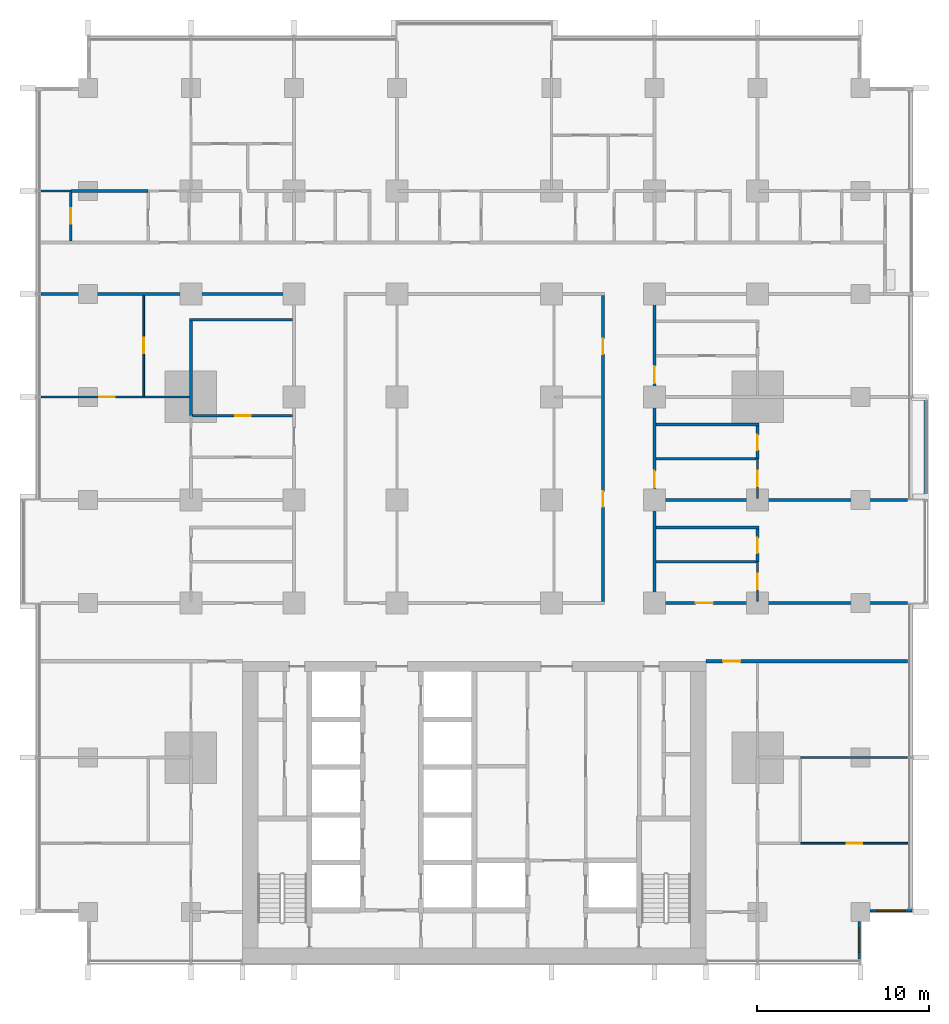
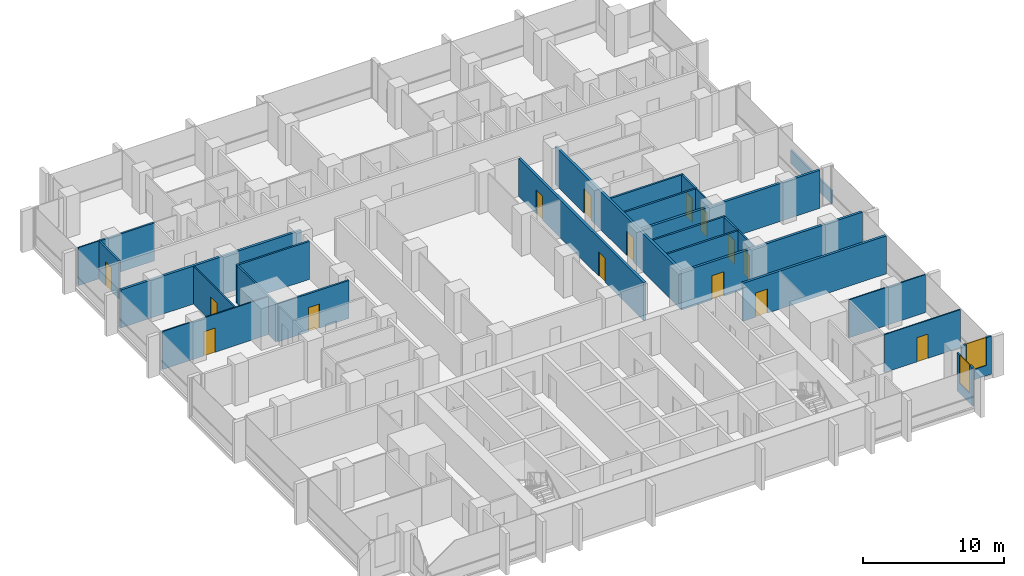
# One storey, part 10 of 18: 27 walls, 15 doors, 2 windows, 17 openings.
"""IFC4 building model written with IfcOpenShell, lengths in metres."""

from ifc_helpers import new_model, si_unit, direction, frame, frame_2d, origin, place, context, subcontext, project, spatial, rectangle, extrude, material, layer, layer_set, type_object, element, fill, save


model = new_model("IFC4")

# Units and contexts
model_context = context("Model", 3, precision=1e-05, world=origin(), true_north=direction((0.0, 1.0)))
body_context = subcontext(model_context, "Body", "Model", "MODEL_VIEW")
ifc_project = project(units=[si_unit("LENGTHUNIT", "METRE"), si_unit("AREAUNIT", "SQUARE_METRE"), si_unit("VOLUMEUNIT", "CUBIC_METRE"), si_unit("PLANEANGLEUNIT", "RADIAN"), si_unit("MASSUNIT", "GRAM", prefix="KILO")], contexts=[model_context])

# Site, building, storey
site_placement = place(None, origin())
site = spatial("IfcSite", under=ifc_project, at=site_placement, CompositionType="ELEMENT")
building_placement = place(site_placement, origin())
building = spatial("IfcBuilding", under=site, at=building_placement, Name="Finial Court Residences", CompositionType="ELEMENT")
storey_placement = place(building_placement, frame((0.0, 0.0, 54.10009765625)))
storey = spatial("IfcBuildingStorey", under=building, at=storey_placement, Name="L12", CompositionType="ELEMENT", Elevation=54.10009765625)

# Wall
ifc_material_1 = material(Name="Gypsum board")
ifc_layer_1 = layer(ifc_material_1, 0.02490234375)
ifc_material_2 = material(Name="Acoustic mineral wool in double frame")
ifc_layer_2 = layer(ifc_material_2, 0.14990234375)
ifc_layer_3 = layer(ifc_material_1, 0.02490234375)
ifc_layer_set_1 = layer_set([ifc_layer_1, ifc_layer_2, ifc_layer_3], Name="Acoustic party wall 200, 1 hour")
wall_type_1 = type_object("IfcWallType", Name="Acoustic party wall 200, 1 hour", PredefinedType="PARTITIONING", material=ifc_layer_set_1)
wall_1_placement = place(storey_placement, frame((10.60009765625, 1.5, 0.0), z_axis=(0.0, 0.0, 1.0), x_axis=(1.0, 0.0, 0.0)))
element("IfcWall", 1, at=wall_1_placement, inside=storey, type_object=wall_type_1, Name="Partition L12-020", PredefinedType="PARTITIONING", context=body_context, shape_type="SweptSolid", body=[
    extrude(rectangle(XDim=14.64990234375, YDim=0.199951171875, at=frame_2d((7.324951171875, 0.0))), origin(), (0.0, 0.0, 1.0), 3.2998046875),
])

# Wall, opening, door
ifc_layer_4 = layer(ifc_material_1, 0.02490234375)
ifc_layer_5 = layer(ifc_material_2, 0.14990234375)
ifc_layer_6 = layer(ifc_material_1, 0.02490234375)
ifc_layer_set_2 = layer_set([ifc_layer_4, ifc_layer_5, ifc_layer_6], Name="Corridor wall 200, 1 hour")
wall_type_2 = type_object("IfcWallType", Name="Corridor wall 200, 1 hour", PredefinedType="PARTITIONING", material=ifc_layer_set_2)
wall_2_placement = place(storey_placement, frame((13.5, -7.89990234375, 0.0), z_axis=(0.0, 0.0, 1.0), x_axis=(1.0, 0.0, 0.0)))
wall_2 = element("IfcWall", 2, at=wall_2_placement, inside=storey, type_object=wall_type_2, Name="Partition L12-011", PredefinedType="PARTITIONING", context=body_context, shape_type="SweptSolid", body=[
    extrude(rectangle(XDim=11.75, YDim=0.199951171875, at=frame_2d((5.875, 0.0))), origin(), (0.0, 0.0, 1.0), 3.2998046875),
])
opening_1_placement = place(wall_2_placement, frame((1.0, 0.0, 0.0)))
opening_1 = element("IfcOpeningElement", 3, at=opening_1_placement, cuts=wall_2, Name="Opening L12-D006", PredefinedType="OPENING", context=body_context, shape_type="SweptSolid", body=[
    extrude(rectangle(XDim=1.0, YDim=2.10009765625, at=frame_2d((0.5, 1.050048828125))), frame((0.0, 0.10986328125, 0.0), z_axis=(0.0, -1.0, 0.0), x_axis=(1.0, 0.0, 0.0)), (0.0, 0.0, 1.0), 0.219970703125),
])
ifc_material_3 = material(Name="Timber door leaf in hollow metal frame", Category="wood")
door_type_1 = type_object("IfcDoorType", Name="Fire door set 1000 x 2100, 30 minutes", OperationType="SINGLE_SWING_LEFT", PredefinedType="DOOR", material=ifc_material_3)
door_1_placement = place(opening_1_placement, origin())
door_1 = element("IfcDoor", 4, at=door_1_placement, inside=storey, type_object=door_type_1, Name="Door L12-D006", OperationType="SINGLE_SWING_LEFT", OverallHeight=2.10009765625, OverallWidth=1.0, PredefinedType="DOOR", context=body_context, shape_type="SweptSolid", body=[
    extrude(rectangle(XDim=1.0, YDim=2.10009765625, at=frame_2d((0.5, 1.050048828125))), frame((0.0, 0.02490234375, 0.0), z_axis=(0.0, -1.0, 0.0), x_axis=(1.0, 0.0, 0.0)), (0.0, 0.0, 1.0), 0.050048828125),
])
fill(opening_1, door_1)

wall_3_placement = place(storey_placement, frame((10.39990234375, -4.5, 0.0), z_axis=(0.0, 0.0, 1.0), x_axis=(1.0, 0.0, 0.0)))
wall_3 = element("IfcWall", 5, at=wall_3_placement, inside=storey, type_object=wall_type_2, Name="Partition L12-014", PredefinedType="PARTITIONING", context=body_context, shape_type="SweptSolid", body=[
    extrude(rectangle(XDim=14.85009765625, YDim=0.199951171875, at=frame_2d((7.425048828125, 0.0))), origin(), (0.0, 0.0, 1.0), 3.2998046875),
])
opening_2_placement = place(wall_3_placement, frame((2.5, 0.0, 0.0)))
opening_2 = element("IfcOpeningElement", 6, at=opening_2_placement, cuts=wall_3, Name="Opening L12-D010", PredefinedType="OPENING", context=body_context, shape_type="SweptSolid", body=[
    extrude(rectangle(XDim=1.0, YDim=2.10009765625, at=frame_2d((0.5, 1.050048828125))), frame((0.0, 0.10986328125, 0.0), z_axis=(0.0, -1.0, 0.0), x_axis=(1.0, 0.0, 0.0)), (0.0, 0.0, 1.0), 0.219970703125),
])
door_2_placement = place(opening_2_placement, origin())
door_2 = element("IfcDoor", 7, at=door_2_placement, inside=storey, type_object=door_type_1, Name="Door L12-D010", OperationType="SINGLE_SWING_RIGHT", OverallHeight=2.10009765625, OverallWidth=1.0, PredefinedType="DOOR", context=body_context, shape_type="SweptSolid", body=[
    extrude(rectangle(XDim=1.0, YDim=2.10009765625, at=frame_2d((0.5, 1.050048828125))), frame((0.0, 0.02490234375, 0.0), z_axis=(0.0, -1.0, 0.0), x_axis=(1.0, 0.0, 0.0)), (0.0, 0.0, 1.0), 0.050048828125),
])
fill(opening_2, door_2)

# Wall
wall_4_placement = place(storey_placement, frame((-25.25, 13.5, 0.0), z_axis=(0.0, 0.0, 1.0), x_axis=(1.0, 0.0, 0.0)))
element("IfcWall", 8, at=wall_4_placement, inside=storey, type_object=wall_type_2, Name="Partition L12-031", PredefinedType="PARTITIONING", context=body_context, shape_type="SweptSolid", body=[
    extrude(rectangle(XDim=14.85009765625, YDim=0.199951171875, at=frame_2d((7.425048828125, 0.0))), origin(), (0.0, 0.0, 1.0), 3.2998046875),
])

# Wall, openings, doors
wall_5_placement = place(storey_placement, frame((7.5, -4.39990234375, 0.0), z_axis=(0.0, 0.0, 1.0), x_axis=(0.0, 1.0, 0.0)))
wall_5 = element("IfcWall", 9, at=wall_5_placement, inside=storey, type_object=wall_type_2, Name="Partition L12-086", PredefinedType="PARTITIONING", context=body_context, shape_type="SweptSolid", body=[
    extrude(rectangle(XDim=17.7998046875, YDim=0.199951171875, at=frame_2d((8.89990234375, 0.0))), origin(), (0.0, 0.0, 1.0), 3.2998046875),
])
opening_3_placement = place(wall_5_placement, frame((5.5, 0.0, 0.0)))
opening_3 = element("IfcOpeningElement", 10, at=opening_3_placement, cuts=wall_5, Name="Opening L12-D049", PredefinedType="OPENING", context=body_context, shape_type="SweptSolid", body=[
    extrude(rectangle(XDim=0.89990234375, YDim=2.10009765625, at=frame_2d((0.449951171875, 1.050048828125))), frame((0.0, 0.10986328125, 0.0), z_axis=(0.0, -1.0, 0.0), x_axis=(1.0, 0.0, 0.0)), (0.0, 0.0, 1.0), 0.219970703125),
])
opening_4_placement = place(wall_5_placement, frame((14.39990234375, 0.0, 0.0)))
opening_4 = element("IfcOpeningElement", 11, at=opening_4_placement, cuts=wall_5, Name="Opening L12-D050", PredefinedType="OPENING", context=body_context, shape_type="SweptSolid", body=[
    extrude(rectangle(XDim=0.89990234375, YDim=2.10009765625, at=frame_2d((0.449951171875, 1.050048828125))), frame((0.0, 0.10986328125, 0.0), z_axis=(0.0, -1.0, 0.0), x_axis=(1.0, 0.0, 0.0)), (0.0, 0.0, 1.0), 0.219970703125),
])
door_type_2 = type_object("IfcDoorType", Name="Fire door set 900 x 2100, 30 minutes", OperationType="SINGLE_SWING_LEFT", PredefinedType="DOOR", material=ifc_material_3)
door_3_placement = place(opening_3_placement, origin())
door_3 = element("IfcDoor", 12, at=door_3_placement, inside=storey, type_object=door_type_2, Name="Door L12-D049", OperationType="SINGLE_SWING_RIGHT", OverallHeight=2.10009765625, OverallWidth=0.89990234375, PredefinedType="DOOR", context=body_context, shape_type="SweptSolid", body=[
    extrude(rectangle(XDim=0.89990234375, YDim=2.10009765625, at=frame_2d((0.449951171875, 1.050048828125))), frame((0.0, 0.02490234375, 0.0), z_axis=(0.0, -1.0, 0.0), x_axis=(1.0, 0.0, 0.0)), (0.0, 0.0, 1.0), 0.050048828125),
])
fill(opening_3, door_3)
door_4_placement = place(opening_4_placement, origin())
door_4 = element("IfcDoor", 13, at=door_4_placement, inside=storey, type_object=door_type_2, Name="Door L12-D050", OperationType="SINGLE_SWING_LEFT", OverallHeight=2.10009765625, OverallWidth=0.89990234375, PredefinedType="DOOR", context=body_context, shape_type="SweptSolid", body=[
    extrude(rectangle(XDim=0.89990234375, YDim=2.10009765625, at=frame_2d((0.449951171875, 1.050048828125))), frame((0.0, 0.02490234375, 0.0), z_axis=(0.0, -1.0, 0.0), x_axis=(1.0, 0.0, 0.0)), (0.0, 0.0, 1.0), 0.050048828125),
])
fill(opening_4, door_4)

wall_6_placement = place(storey_placement, frame((10.5, -4.39990234375, 0.0), z_axis=(0.0, 0.0, 1.0), x_axis=(0.0, 1.0, 0.0)))
wall_6 = element("IfcWall", 14, at=wall_6_placement, inside=storey, type_object=wall_type_2, Name="Partition L12-089", PredefinedType="PARTITIONING", context=body_context, shape_type="SweptSolid", body=[
    extrude(rectangle(XDim=17.7998046875, YDim=0.199951171875, at=frame_2d((8.89990234375, 0.0))), origin(), (0.0, 0.0, 1.0), 3.2998046875),
])
opening_5_placement = place(wall_6_placement, frame((6.60009765625, 0.0, 0.0)))
opening_5 = element("IfcOpeningElement", 15, at=opening_5_placement, cuts=wall_6, Name="Opening L12-D052", PredefinedType="OPENING", context=body_context, shape_type="SweptSolid", body=[
    extrude(rectangle(XDim=1.0, YDim=2.10009765625, at=frame_2d((0.5, 1.050048828125))), frame((0.0, 0.10986328125, 0.0), z_axis=(0.0, -1.0, 0.0), x_axis=(1.0, 0.0, 0.0)), (0.0, 0.0, 1.0), 0.219970703125),
])
opening_6_placement = place(wall_6_placement, frame((12.699951171875, 0.0, 0.0)))
opening_6 = element("IfcOpeningElement", 16, at=opening_6_placement, cuts=wall_6, Name="Opening L12-D053", PredefinedType="OPENING", context=body_context, shape_type="SweptSolid", body=[
    extrude(rectangle(XDim=1.0, YDim=2.10009765625, at=frame_2d((0.5, 1.050048828125))), frame((0.0, 0.10986328125, 0.0), z_axis=(0.0, -1.0, 0.0), x_axis=(1.0, 0.0, 0.0)), (0.0, 0.0, 1.0), 0.219970703125),
])
door_5_placement = place(opening_5_placement, origin())
door_5 = element("IfcDoor", 17, at=door_5_placement, inside=storey, type_object=door_type_1, Name="Door L12-D052", OperationType="SINGLE_SWING_LEFT", OverallHeight=2.10009765625, OverallWidth=1.0, PredefinedType="DOOR", context=body_context, shape_type="SweptSolid", body=[
    extrude(rectangle(XDim=1.0, YDim=2.10009765625, at=frame_2d((0.5, 1.050048828125))), frame((0.0, 0.02490234375, 0.0), z_axis=(0.0, -1.0, 0.0), x_axis=(1.0, 0.0, 0.0)), (0.0, 0.0, 1.0), 0.050048828125),
])
fill(opening_5, door_5)
door_6_placement = place(opening_6_placement, origin())
door_6 = element("IfcDoor", 18, at=door_6_placement, inside=storey, type_object=door_type_1, Name="Door L12-D053", OperationType="SINGLE_SWING_RIGHT", OverallHeight=2.10009765625, OverallWidth=1.0, PredefinedType="DOOR", context=body_context, shape_type="SweptSolid", body=[
    extrude(rectangle(XDim=1.0, YDim=2.10009765625, at=frame_2d((0.5, 1.050048828125))), frame((0.0, 0.02490234375, 0.0), z_axis=(0.0, -1.0, 0.0), x_axis=(1.0, 0.0, 0.0)), (0.0, 0.0, 1.0), 0.050048828125),
])
fill(opening_6, door_6)

# Wall, opening, door
ifc_layer_7 = layer(ifc_material_1, 0.012451171875)
ifc_material_4 = material(Name="Mineral wool in light-gauge frame")
ifc_layer_8 = layer(ifc_material_4, 0.074951171875)
ifc_layer_9 = layer(ifc_material_1, 0.012451171875)
ifc_layer_set_3 = layer_set([ifc_layer_7, ifc_layer_8, ifc_layer_9], Name="Gypsum board partition 100")
wall_type_3 = type_object("IfcWallType", Name="Gypsum board partition 100", PredefinedType="PARTITIONING", material=ifc_layer_set_3)
wall_7_placement = place(storey_placement, frame((19.0, -18.5, 0.0), z_axis=(0.0, 0.0, 1.0), x_axis=(1.0, 0.0, 0.0)))
wall_7 = element("IfcWall", 19, at=wall_7_placement, inside=storey, type_object=wall_type_3, Name="Partition L12-003", PredefinedType="PARTITIONING", context=body_context, shape_type="SweptSolid", body=[
    extrude(rectangle(XDim=6.25, YDim=0.10009765625, at=frame_2d((3.125, 0.0))), origin(), (0.0, 0.0, 1.0), 3.2998046875),
])
opening_7_placement = place(wall_7_placement, frame((2.699951171875, 0.0, 0.0)))
opening_7 = element("IfcOpeningElement", 20, at=opening_7_placement, cuts=wall_7, Name="Opening L12-D004", PredefinedType="OPENING", context=body_context, shape_type="SweptSolid", body=[
    extrude(rectangle(XDim=0.89990234375, YDim=2.10009765625, at=frame_2d((0.449951171875, 1.050048828125))), frame((0.0, 0.06005859375, 0.0), z_axis=(0.0, -1.0, 0.0), x_axis=(1.0, 0.0, 0.0)), (0.0, 0.0, 1.0), 0.1201171875),
])
ifc_material_5 = material(Name="Timber door leaf in timber frame", Category="wood")
door_type_3 = type_object("IfcDoorType", Name="Door set 900 x 2100", OperationType="SINGLE_SWING_LEFT", PredefinedType="DOOR", material=ifc_material_5)
door_7_placement = place(opening_7_placement, origin())
door_7 = element("IfcDoor", 21, at=door_7_placement, inside=storey, type_object=door_type_3, Name="Door L12-D004", OperationType="SINGLE_SWING_RIGHT", OverallHeight=2.10009765625, OverallWidth=0.89990234375, PredefinedType="DOOR", context=body_context, shape_type="SweptSolid", body=[
    extrude(rectangle(XDim=0.89990234375, YDim=2.10009765625, at=frame_2d((0.449951171875, 1.050048828125))), frame((0.0, 0.02490234375, 0.0), z_axis=(0.0, -1.0, 0.0), x_axis=(1.0, 0.0, 0.0)), (0.0, 0.0, 1.0), 0.050048828125),
])
fill(opening_7, door_7)

# Wall
wall_8_placement = place(storey_placement, frame((19.0, -13.5, 0.0), z_axis=(0.0, 0.0, 1.0), x_axis=(1.0, 0.0, 0.0)))
element("IfcWall", 22, at=wall_8_placement, inside=storey, type_object=wall_type_3, Name="Partition L12-007", PredefinedType="PARTITIONING", context=body_context, shape_type="SweptSolid", body=[
    extrude(rectangle(XDim=6.25, YDim=0.10009765625, at=frame_2d((3.125, 0.0))), origin(), (0.0, 0.0, 1.0), 3.2998046875),
])

# Wall, opening, door
wall_9_placement = place(storey_placement, frame((-25.25, 7.5, 0.0), z_axis=(0.0, 0.0, 1.0), x_axis=(1.0, 0.0, 0.0)))
wall_9 = element("IfcWall", 23, at=wall_9_placement, inside=storey, type_object=wall_type_3, Name="Partition L12-025", PredefinedType="PARTITIONING", context=body_context, shape_type="SweptSolid", body=[
    extrude(rectangle(XDim=8.675048828125, YDim=0.10009765625, at=frame_2d((4.33740234375, 0.0))), origin(), (0.0, 0.0, 1.0), 3.2998046875),
])
opening_8_placement = place(wall_9_placement, frame((3.39990234375, 0.0, 0.0)))
opening_8 = element("IfcOpeningElement", 24, at=opening_8_placement, cuts=wall_9, Name="Opening L12-D013", PredefinedType="OPENING", context=body_context, shape_type="SweptSolid", body=[
    extrude(rectangle(XDim=0.89990234375, YDim=2.10009765625, at=frame_2d((0.449951171875, 1.050048828125))), frame((0.0, 0.06005859375, 0.0), z_axis=(0.0, -1.0, 0.0), x_axis=(1.0, 0.0, 0.0)), (0.0, 0.0, 1.0), 0.1201171875),
])
door_8_placement = place(opening_8_placement, origin())
door_8 = element("IfcDoor", 25, at=door_8_placement, inside=storey, type_object=door_type_3, Name="Door L12-D013", OperationType="SINGLE_SWING_RIGHT", OverallHeight=2.10009765625, OverallWidth=0.89990234375, PredefinedType="DOOR", context=body_context, shape_type="SweptSolid", body=[
    extrude(rectangle(XDim=0.89990234375, YDim=2.10009765625, at=frame_2d((0.449951171875, 1.050048828125))), frame((0.0, 0.02490234375, 0.0), z_axis=(0.0, -1.0, 0.0), x_axis=(1.0, 0.0, 0.0)), (0.0, 0.0, 1.0), 0.050048828125),
])
fill(opening_8, door_8)

# Wall
wall_10_placement = place(storey_placement, frame((-25.25, 19.5, 0.0), z_axis=(0.0, 0.0, 1.0), x_axis=(1.0, 0.0, 0.0)))
element("IfcWall", 26, at=wall_10_placement, inside=storey, type_object=wall_type_3, Name="Partition L12-035", PredefinedType="PARTITIONING", context=body_context, shape_type="SweptSolid", body=[
    extrude(rectangle(XDim=1.75, YDim=0.10009765625, at=frame_2d((0.875, 0.0))), origin(), (0.0, 0.0, 1.0), 3.2998046875),
])

# Wall, opening, door
wall_11_placement = place(storey_placement, frame((-19.25, 7.550048828125, 0.0), z_axis=(0.0, 0.0, 1.0), x_axis=(0.0, 1.0, 0.0)))
wall_11 = element("IfcWall", 27, at=wall_11_placement, inside=storey, type_object=wall_type_3, Name="Partition L12-056", PredefinedType="PARTITIONING", context=body_context, shape_type="SweptSolid", body=[
    extrude(rectangle(XDim=5.849853515625, YDim=0.10009765625, at=frame_2d((2.9248046875, 0.0))), origin(), (0.0, 0.0, 1.0), 3.2998046875),
])
opening_9_placement = place(wall_11_placement, frame((2.5, 0.0, 0.0)))
opening_9 = element("IfcOpeningElement", 28, at=opening_9_placement, cuts=wall_11, Name="Opening L12-D032", PredefinedType="OPENING", context=body_context, shape_type="SweptSolid", body=[
    extrude(rectangle(XDim=0.89990234375, YDim=2.10009765625, at=frame_2d((0.449951171875, 1.050048828125))), frame((0.0, 0.06005859375, 0.0), z_axis=(0.0, -1.0, 0.0), x_axis=(1.0, 0.0, 0.0)), (0.0, 0.0, 1.0), 0.1201171875),
])
door_9_placement = place(opening_9_placement, origin())
door_9 = element("IfcDoor", 29, at=door_9_placement, inside=storey, type_object=door_type_3, Name="Door L12-D032", OperationType="SINGLE_SWING_RIGHT", OverallHeight=2.10009765625, OverallWidth=0.89990234375, PredefinedType="DOOR", context=body_context, shape_type="SweptSolid", body=[
    extrude(rectangle(XDim=0.89990234375, YDim=2.10009765625, at=frame_2d((0.449951171875, 1.050048828125))), frame((0.0, 0.02490234375, 0.0), z_axis=(0.0, -1.0, 0.0), x_axis=(1.0, 0.0, 0.0)), (0.0, 0.0, 1.0), 0.050048828125),
])
fill(opening_9, door_9)

wall_12_placement = place(storey_placement, frame((16.5, -4.39990234375, 0.0), z_axis=(0.0, 0.0, 1.0), x_axis=(0.0, 1.0, 0.0)))
wall_12 = element("IfcWall", 30, at=wall_12_placement, inside=storey, type_object=wall_type_3, Name="Partition L12-096", PredefinedType="PARTITIONING", context=body_context, shape_type="SweptSolid", body=[
    extrude(rectangle(XDim=2.2998046875, YDim=0.10009765625, at=frame_2d((1.14990234375, 0.0))), origin(), (0.0, 0.0, 1.0), 3.2998046875),
])
opening_10_placement = place(wall_12_placement, frame((0.699951171875, 0.0, 0.0)))
opening_10 = element("IfcOpeningElement", 31, at=opening_10_placement, cuts=wall_12, Name="Opening L12-D056", PredefinedType="OPENING", context=body_context, shape_type="SweptSolid", body=[
    extrude(rectangle(XDim=0.89990234375, YDim=2.10009765625, at=frame_2d((0.449951171875, 1.050048828125))), frame((0.0, 0.06005859375, 0.0), z_axis=(0.0, -1.0, 0.0), x_axis=(1.0, 0.0, 0.0)), (0.0, 0.0, 1.0), 0.1201171875),
])
door_10_placement = place(opening_10_placement, origin())
door_10 = element("IfcDoor", 32, at=door_10_placement, inside=storey, type_object=door_type_3, Name="Door L12-D056", OperationType="SINGLE_SWING_LEFT", OverallHeight=2.10009765625, OverallWidth=0.89990234375, PredefinedType="DOOR", context=body_context, shape_type="SweptSolid", body=[
    extrude(rectangle(XDim=0.89990234375, YDim=2.10009765625, at=frame_2d((0.449951171875, 1.050048828125))), frame((0.0, 0.02490234375, 0.0), z_axis=(0.0, -1.0, 0.0), x_axis=(1.0, 0.0, 0.0)), (0.0, 0.0, 1.0), 0.050048828125),
])
fill(opening_10, door_10)

wall_13_placement = place(storey_placement, frame((16.5, 1.60009765625, 0.0), z_axis=(0.0, 0.0, 1.0), x_axis=(0.0, 1.0, 0.0)))
wall_13 = element("IfcWall", 33, at=wall_13_placement, inside=storey, type_object=wall_type_3, Name="Partition L12-097", PredefinedType="PARTITIONING", context=body_context, shape_type="SweptSolid", body=[
    extrude(rectangle(XDim=2.2998046875, YDim=0.10009765625, at=frame_2d((1.14990234375, 0.0))), origin(), (0.0, 0.0, 1.0), 3.2998046875),
])
opening_11_placement = place(wall_13_placement, frame((0.699951171875, 0.0, 0.0)))
opening_11 = element("IfcOpeningElement", 34, at=opening_11_placement, cuts=wall_13, Name="Opening L12-D057", PredefinedType="OPENING", context=body_context, shape_type="SweptSolid", body=[
    extrude(rectangle(XDim=0.89990234375, YDim=2.10009765625, at=frame_2d((0.449951171875, 1.050048828125))), frame((0.0, 0.06005859375, 0.0), z_axis=(0.0, -1.0, 0.0), x_axis=(1.0, 0.0, 0.0)), (0.0, 0.0, 1.0), 0.1201171875),
])
door_11_placement = place(opening_11_placement, origin())
door_11 = element("IfcDoor", 35, at=door_11_placement, inside=storey, type_object=door_type_3, Name="Door L12-D057", OperationType="SINGLE_SWING_RIGHT", OverallHeight=2.10009765625, OverallWidth=0.89990234375, PredefinedType="DOOR", context=body_context, shape_type="SweptSolid", body=[
    extrude(rectangle(XDim=0.89990234375, YDim=2.10009765625, at=frame_2d((0.449951171875, 1.050048828125))), frame((0.0, 0.02490234375, 0.0), z_axis=(0.0, -1.0, 0.0), x_axis=(1.0, 0.0, 0.0)), (0.0, 0.0, 1.0), 0.050048828125),
])
fill(opening_11, door_11)

# Walls
ifc_material_6 = material(Name="Moisture-resistant gypsum board")
ifc_layer_10 = layer(ifc_material_6, 0.012451171875)
ifc_layer_11 = layer(ifc_material_4, 0.125)
ifc_layer_12 = layer(ifc_material_6, 0.012451171875)
ifc_layer_set_4 = layer_set([ifc_layer_10, ifc_layer_11, ifc_layer_12], Name="Gypsum board wet-area partition 150")
wall_type_4 = type_object("IfcWallType", Name="Gypsum board wet-area partition 150", PredefinedType="PARTITIONING", material=ifc_layer_set_4)
wall_14_placement = place(storey_placement, frame((10.60009765625, -2.10009765625, 0.0), z_axis=(0.0, 0.0, 1.0), x_axis=(1.0, 0.0, 0.0)))
element("IfcWall", 36, at=wall_14_placement, inside=storey, type_object=wall_type_4, Name="Partition L12-016", PredefinedType="PARTITIONING", context=body_context, shape_type="SweptSolid", body=[
    extrude(rectangle(XDim=5.824951171875, YDim=0.14990234375, at=frame_2d((2.91259765625, 0.0))), origin(), (0.0, 0.0, 1.0), 3.2998046875),
])
wall_15_placement = place(storey_placement, frame((10.60009765625, -0.10009765625, 0.0), z_axis=(0.0, 0.0, 1.0), x_axis=(1.0, 0.0, 0.0)))
element("IfcWall", 37, at=wall_15_placement, inside=storey, type_object=wall_type_4, Name="Partition L12-018", PredefinedType="PARTITIONING", context=body_context, shape_type="SweptSolid", body=[
    extrude(rectangle(XDim=5.974853515625, YDim=0.14990234375, at=frame_2d((2.9873046875, 0.0))), origin(), (0.0, 0.0, 1.0), 3.2998046875),
])
wall_16_placement = place(storey_placement, frame((10.60009765625, 3.89990234375, 0.0), z_axis=(0.0, 0.0, 1.0), x_axis=(1.0, 0.0, 0.0)))
element("IfcWall", 38, at=wall_16_placement, inside=storey, type_object=wall_type_4, Name="Partition L12-021", PredefinedType="PARTITIONING", context=body_context, shape_type="SweptSolid", body=[
    extrude(rectangle(XDim=5.824951171875, YDim=0.14990234375, at=frame_2d((2.91259765625, 0.0))), origin(), (0.0, 0.0, 1.0), 3.2998046875),
])
wall_17_placement = place(storey_placement, frame((10.60009765625, 5.89990234375, 0.0), z_axis=(0.0, 0.0, 1.0), x_axis=(1.0, 0.0, 0.0)))
element("IfcWall", 39, at=wall_17_placement, inside=storey, type_object=wall_type_4, Name="Partition L12-023", PredefinedType="PARTITIONING", context=body_context, shape_type="SweptSolid", body=[
    extrude(rectangle(XDim=5.974853515625, YDim=0.14990234375, at=frame_2d((2.9873046875, 0.0))), origin(), (0.0, 0.0, 1.0), 3.2998046875),
])

# Wall, opening, door
wall_18_placement = place(storey_placement, frame((-16.425048828125, 6.39990234375, 0.0), z_axis=(0.0, 0.0, 1.0), x_axis=(1.0, 0.0, 0.0)))
wall_18 = element("IfcWall", 40, at=wall_18_placement, inside=storey, type_object=wall_type_4, Name="Partition L12-024", PredefinedType="PARTITIONING", context=body_context, shape_type="SweptSolid", body=[
    extrude(rectangle(XDim=5.824951171875, YDim=0.14990234375, at=frame_2d((2.91259765625, 0.0))), origin(), (0.0, 0.0, 1.0), 3.2998046875),
])
opening_12_placement = place(wall_18_placement, frame((2.5, 0.0, 0.0)))
opening_12 = element("IfcOpeningElement", 41, at=opening_12_placement, cuts=wall_18, Name="Opening L12-D012", PredefinedType="OPENING", context=body_context, shape_type="SweptSolid", body=[
    extrude(rectangle(XDim=0.89990234375, YDim=2.10009765625, at=frame_2d((0.449951171875, 1.050048828125))), frame((0.0, 0.0849609375, 0.0), z_axis=(0.0, -1.0, 0.0), x_axis=(1.0, 0.0, 0.0)), (0.0, 0.0, 1.0), 0.169921875),
])
door_12_placement = place(opening_12_placement, origin())
door_12 = element("IfcDoor", 42, at=door_12_placement, inside=storey, type_object=door_type_3, Name="Door L12-D012", OperationType="SINGLE_SWING_LEFT", OverallHeight=2.10009765625, OverallWidth=0.89990234375, PredefinedType="DOOR", context=body_context, shape_type="SweptSolid", body=[
    extrude(rectangle(XDim=0.89990234375, YDim=2.10009765625, at=frame_2d((0.449951171875, 1.050048828125))), frame((0.0, 0.02490234375, 0.0), z_axis=(0.0, -1.0, 0.0), x_axis=(1.0, 0.0, 0.0)), (0.0, 0.0, 1.0), 0.050048828125),
])
fill(opening_12, door_12)

# Walls
wall_19_placement = place(storey_placement, frame((-16.574951171875, 12.0, 0.0), z_axis=(0.0, 0.0, 1.0), x_axis=(1.0, 0.0, 0.0)))
element("IfcWall", 43, at=wall_19_placement, inside=storey, type_object=wall_type_4, Name="Partition L12-030", PredefinedType="PARTITIONING", context=body_context, shape_type="SweptSolid", body=[
    extrude(rectangle(XDim=5.974853515625, YDim=0.14990234375, at=frame_2d((2.9873046875, 0.0))), origin(), (0.0, 0.0, 1.0), 3.2998046875),
])
wall_20_placement = place(storey_placement, frame((-23.5, 19.5, 0.0), z_axis=(0.0, 0.0, 1.0), x_axis=(1.0, 0.0, 0.0)))
element("IfcWall", 44, at=wall_20_placement, inside=storey, type_object=wall_type_4, Name="Partition L12-041", PredefinedType="PARTITIONING", context=body_context, shape_type="SweptSolid", body=[
    extrude(rectangle(XDim=4.5, YDim=0.14990234375, at=frame_2d((2.25, 0.0))), origin(), (0.0, 0.0, 1.0), 3.2998046875),
])

# Wall, opening, door
wall_21_placement = place(storey_placement, frame((-23.5, 16.60009765625, 0.0), z_axis=(0.0, 0.0, 1.0), x_axis=(0.0, 1.0, 0.0)))
wall_21 = element("IfcWall", 45, at=wall_21_placement, inside=storey, type_object=wall_type_4, Name="Partition L12-055", PredefinedType="PARTITIONING", context=body_context, shape_type="SweptSolid", body=[
    extrude(rectangle(XDim=2.824951171875, YDim=0.14990234375, at=frame_2d((1.41259765625, 0.0))), origin(), (0.0, 0.0, 1.0), 3.2998046875),
])
opening_13_placement = place(wall_21_placement, frame((1.0, 0.0, 0.0)))
opening_13 = element("IfcOpeningElement", 46, at=opening_13_placement, cuts=wall_21, Name="Opening L12-D031", PredefinedType="OPENING", context=body_context, shape_type="SweptSolid", body=[
    extrude(rectangle(XDim=0.89990234375, YDim=2.10009765625, at=frame_2d((0.449951171875, 1.050048828125))), frame((0.0, 0.0849609375, 0.0), z_axis=(0.0, -1.0, 0.0), x_axis=(1.0, 0.0, 0.0)), (0.0, 0.0, 1.0), 0.169921875),
])
door_13_placement = place(opening_13_placement, origin())
door_13 = element("IfcDoor", 47, at=door_13_placement, inside=storey, type_object=door_type_3, Name="Door L12-D031", OperationType="SINGLE_SWING_RIGHT", OverallHeight=2.10009765625, OverallWidth=0.89990234375, PredefinedType="DOOR", context=body_context, shape_type="SweptSolid", body=[
    extrude(rectangle(XDim=0.89990234375, YDim=2.10009765625, at=frame_2d((0.449951171875, 1.050048828125))), frame((0.0, 0.02490234375, 0.0), z_axis=(0.0, -1.0, 0.0), x_axis=(1.0, 0.0, 0.0)), (0.0, 0.0, 1.0), 0.050048828125),
])
fill(opening_13, door_13)

# Wall
wall_22_placement = place(storey_placement, frame((-16.5, 6.39990234375, 0.0), z_axis=(0.0, 0.0, 1.0), x_axis=(0.0, 1.0, 0.0)))
element("IfcWall", 48, at=wall_22_placement, inside=storey, type_object=wall_type_4, Name="Partition L12-069", PredefinedType="PARTITIONING", context=body_context, shape_type="SweptSolid", body=[
    extrude(rectangle(XDim=5.525146484375, YDim=0.14990234375, at=frame_2d((2.7626953125, 0.0))), origin(), (0.0, 0.0, 1.0), 3.2998046875),
])

# Wall, opening, door
wall_23_placement = place(storey_placement, frame((16.5, -2.10009765625, 0.0), z_axis=(0.0, 0.0, 1.0), x_axis=(0.0, 1.0, 0.0)))
wall_23 = element("IfcWall", 49, at=wall_23_placement, inside=storey, type_object=wall_type_4, Name="Partition L12-102", PredefinedType="PARTITIONING", context=body_context, shape_type="SweptSolid", body=[
    extrude(rectangle(XDim=1.925048828125, YDim=0.14990234375, at=frame_2d((0.96240234375, 0.0))), origin(), (0.0, 0.0, 1.0), 3.2998046875),
])
opening_14_placement = place(wall_23_placement, frame((0.5, 0.0, 0.0)))
opening_14 = element("IfcOpeningElement", 50, at=opening_14_placement, cuts=wall_23, Name="Opening L12-D059", PredefinedType="OPENING", context=body_context, shape_type="SweptSolid", body=[
    extrude(rectangle(XDim=0.89990234375, YDim=2.10009765625, at=frame_2d((0.449951171875, 1.050048828125))), frame((0.0, 0.0849609375, 0.0), z_axis=(0.0, -1.0, 0.0), x_axis=(1.0, 0.0, 0.0)), (0.0, 0.0, 1.0), 0.169921875),
])
door_14_placement = place(opening_14_placement, origin())
door_14 = element("IfcDoor", 51, at=door_14_placement, inside=storey, type_object=door_type_3, Name="Door L12-D059", OperationType="SINGLE_SWING_RIGHT", OverallHeight=2.10009765625, OverallWidth=0.89990234375, PredefinedType="DOOR", context=body_context, shape_type="SweptSolid", body=[
    extrude(rectangle(XDim=0.89990234375, YDim=2.10009765625, at=frame_2d((0.449951171875, 1.050048828125))), frame((0.0, 0.02490234375, 0.0), z_axis=(0.0, -1.0, 0.0), x_axis=(1.0, 0.0, 0.0)), (0.0, 0.0, 1.0), 0.050048828125),
])
fill(opening_14, door_14)

wall_24_placement = place(storey_placement, frame((16.5, 3.89990234375, 0.0), z_axis=(0.0, 0.0, 1.0), x_axis=(0.0, 1.0, 0.0)))
wall_24 = element("IfcWall", 52, at=wall_24_placement, inside=storey, type_object=wall_type_4, Name="Partition L12-103", PredefinedType="PARTITIONING", context=body_context, shape_type="SweptSolid", body=[
    extrude(rectangle(XDim=1.925048828125, YDim=0.14990234375, at=frame_2d((0.96240234375, 0.0))), origin(), (0.0, 0.0, 1.0), 3.2998046875),
])
opening_15_placement = place(wall_24_placement, frame((0.5, 0.0, 0.0)))
opening_15 = element("IfcOpeningElement", 53, at=opening_15_placement, cuts=wall_24, Name="Opening L12-D060", PredefinedType="OPENING", context=body_context, shape_type="SweptSolid", body=[
    extrude(rectangle(XDim=0.89990234375, YDim=2.10009765625, at=frame_2d((0.449951171875, 1.050048828125))), frame((0.0, 0.0849609375, 0.0), z_axis=(0.0, -1.0, 0.0), x_axis=(1.0, 0.0, 0.0)), (0.0, 0.0, 1.0), 0.169921875),
])
door_15_placement = place(opening_15_placement, origin())
door_15 = element("IfcDoor", 54, at=door_15_placement, inside=storey, type_object=door_type_3, Name="Door L12-D060", OperationType="SINGLE_SWING_RIGHT", OverallHeight=2.10009765625, OverallWidth=0.89990234375, PredefinedType="DOOR", context=body_context, shape_type="SweptSolid", body=[
    extrude(rectangle(XDim=0.89990234375, YDim=2.10009765625, at=frame_2d((0.449951171875, 1.050048828125))), frame((0.0, 0.02490234375, 0.0), z_axis=(0.0, -1.0, 0.0), x_axis=(1.0, 0.0, 0.0)), (0.0, 0.0, 1.0), 0.050048828125),
])
fill(opening_15, door_15)

# Wall
ifc_material_7 = material(Name="Concrete C35/45", Category="concrete")
ifc_layer_13 = layer(ifc_material_7, 0.14990234375)
ifc_layer_set_5 = layer_set([ifc_layer_13], Name="Ledge parapet, Concrete C35/45 150")
wall_type_5 = type_object("IfcWallType", Name="Ledge parapet, Concrete C35/45 150", PredefinedType="PARAPET", material=ifc_layer_set_5)
wall_25_placement = place(storey_placement, frame((26.27490234375, 7.300048828125, 0.0), z_axis=(0.0, 0.0, 1.0), x_axis=(0.0, -1.0, 0.0)))
element("IfcWall", 55, at=wall_25_placement, inside=storey, type_object=wall_type_5, Name="E-L12-LED1-P2", PredefinedType="PARAPET", context=body_context, shape_type="SweptSolid", body=[
    extrude(rectangle(XDim=5.840087890625, YDim=0.14990234375, at=frame_2d((2.919921875, 0.0))), origin(), (0.0, 0.0, 1.0), 1.14990234375),
])

# Wall, opening, window
ifc_material_8 = material(Name="Natural limestone", Category="masonry")
ifc_layer_14 = layer(ifc_material_8, 0.14990234375)
ifc_layer_set_6 = layer_set([ifc_layer_14], Name="Limestone clad wall 150")
wall_type_6 = type_object("IfcWallType", Name="Limestone clad wall 150", PredefinedType="SOLIDWALL", material=ifc_layer_set_6)
wall_26_placement = place(storey_placement, frame((22.425048828125, -23.050048828125, 0.0), z_axis=(0.0, 0.0, 1.0), x_axis=(0.0, -1.0, 0.0)))
wall_26 = element("IfcWall", 56, at=wall_26_placement, inside=storey, type_object=wall_type_6, Name="E-L12-NWE15", PredefinedType="SOLIDWALL", context=body_context, shape_type="SweptSolid", body=[
    extrude(rectangle(XDim=2.199951171875, YDim=0.14990234375, at=frame_2d((1.10009765625, 0.0))), origin(), (0.0, 0.0, 1.0), 3.2998046875),
])
opening_16_placement = place(wall_26_placement, frame((0.39990234375, 0.0, 0.89990234375)))
opening_16 = element("IfcOpeningElement", 57, at=opening_16_placement, cuts=wall_26, Name="Opening WE12-03", PredefinedType="OPENING", context=body_context, shape_type="SweptSolid", body=[
    extrude(rectangle(XDim=1.39990234375, YDim=2.39990234375, at=frame_2d((0.699951171875, 1.199951171875))), frame((0.0, 0.0849609375, 0.0), z_axis=(0.0, -1.0, 0.0), x_axis=(1.0, 0.0, 0.0)), (0.0, 0.0, 1.0), 0.169921875),
])
ifc_material_9 = material(Name="Clear low-e glass", Category="glass")
window_type_1 = type_object("IfcWindowType", Name="Corner window 1400 x 2400", PartitioningType="SINGLE_PANEL", PredefinedType="WINDOW", material=ifc_material_9)
window_1_placement = place(opening_16_placement, origin())
window_1 = element("IfcWindow", 58, at=window_1_placement, inside=storey, type_object=window_type_1, Name="E-L12-NWE15-W1", OverallHeight=2.39990234375, OverallWidth=1.39990234375, PartitioningType="SINGLE_PANEL", PredefinedType="WINDOW", context=body_context, shape_type="SweptSolid", body=[
    extrude(rectangle(XDim=1.39990234375, YDim=2.39990234375, at=frame_2d((0.699951171875, 1.199951171875))), frame((0.0, 0.030029296875, 0.0), z_axis=(0.0, -1.0, 0.0), x_axis=(1.0, 0.0, 0.0)), (0.0, 0.0, 1.0), 0.06005859375),
])
fill(opening_16, window_1)

wall_27_placement = place(storey_placement, frame((25.5, -22.425048828125, 0.0), z_axis=(0.0, 0.0, 1.0), x_axis=(-1.0, 0.0, 0.0)))
wall_27 = element("IfcWall", 59, at=wall_27_placement, inside=storey, type_object=wall_type_6, Name="E-L12-NWS16", PredefinedType="SOLIDWALL", context=body_context, shape_type="SweptSolid", body=[
    extrude(rectangle(XDim=2.449951171875, YDim=0.14990234375, at=frame_2d((1.22509765625, 0.0))), origin(), (0.0, 0.0, 1.0), 3.2998046875),
])
opening_17_placement = place(wall_27_placement, frame((0.39990234375, 0.0, 0.89990234375)))
opening_17 = element("IfcOpeningElement", 60, at=opening_17_placement, cuts=wall_27, Name="Opening WE12-04", PredefinedType="OPENING", context=body_context, shape_type="SweptSolid", body=[
    extrude(rectangle(XDim=1.64990234375, YDim=2.39990234375, at=frame_2d((0.824951171875, 1.199951171875))), frame((0.0, 0.0849609375, 0.0), z_axis=(0.0, -1.0, 0.0), x_axis=(1.0, 0.0, 0.0)), (0.0, 0.0, 1.0), 0.169921875),
])
window_type_2 = type_object("IfcWindowType", Name="Corner window 1650 x 2400", PartitioningType="SINGLE_PANEL", PredefinedType="WINDOW", material=ifc_material_9)
window_2_placement = place(opening_17_placement, origin())
window_2 = element("IfcWindow", 61, at=window_2_placement, inside=storey, type_object=window_type_2, Name="E-L12-NWS16-W1", OverallHeight=2.39990234375, OverallWidth=1.64990234375, PartitioningType="SINGLE_PANEL", PredefinedType="WINDOW", context=body_context, shape_type="SweptSolid", body=[
    extrude(rectangle(XDim=1.64990234375, YDim=2.39990234375, at=frame_2d((0.824951171875, 1.199951171875))), frame((0.0, 0.030029296875, 0.0), z_axis=(0.0, -1.0, 0.0), x_axis=(1.0, 0.0, 0.0)), (0.0, 0.0, 1.0), 0.06005859375),
])
fill(opening_17, window_2)

save(model, "model.ifc")
